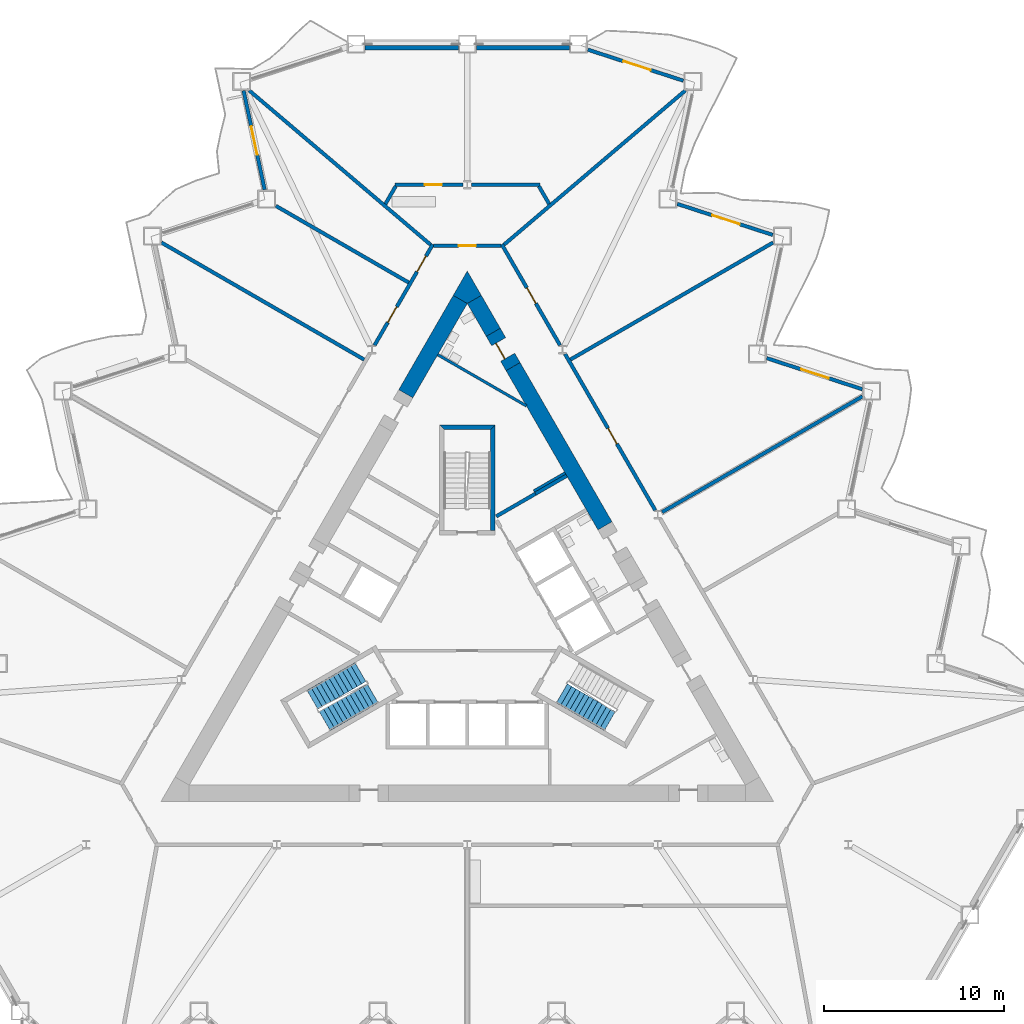
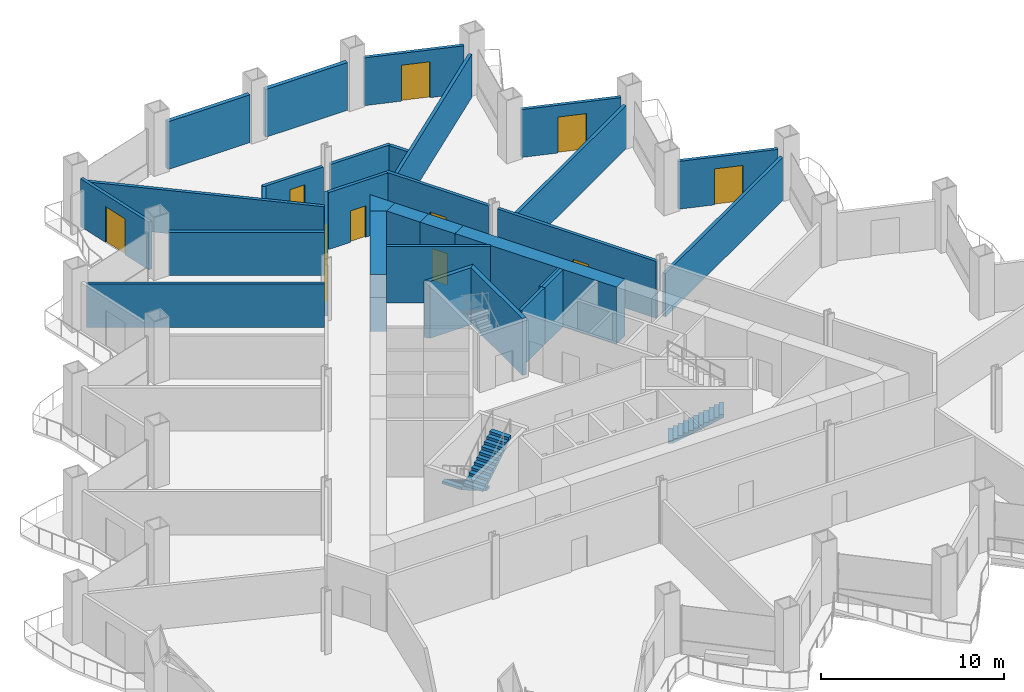
# One storey, part 12 of 21: 31 walls, 11 doors, 3 stair flights, 11 openings, 2 elements without a shape of their own.
"""IFC4 building model written with IfcOpenShell, lengths in metres."""

from ifc_helpers import new_model, si_unit, direction, frame, frame_2d, origin, place, context, subcontext, project, spatial, polyline, rectangle, outline, extrude, material, layer, layer_set, type_object, element, fill, aggregate, save


model = new_model("IFC4")

# Units and contexts
model_context = context("Model", 3, precision=1e-05, world=origin(), true_north=direction((0.0, 1.0)))
body_context = subcontext(model_context, "Body", "Model", "MODEL_VIEW")
ifc_project = project(units=[si_unit("LENGTHUNIT", "METRE"), si_unit("AREAUNIT", "SQUARE_METRE"), si_unit("VOLUMEUNIT", "CUBIC_METRE"), si_unit("PLANEANGLEUNIT", "RADIAN"), si_unit("MASSUNIT", "GRAM", prefix="KILO")], contexts=[model_context])

# Site, building, storey
site_placement = place(None, origin())
site = spatial("IfcSite", under=ifc_project, at=site_placement, CompositionType="ELEMENT")
building_placement = place(site_placement, origin())
building = spatial("IfcBuilding", under=site, at=building_placement, Name="Cormorant Prow Tower", CompositionType="ELEMENT")
storey_placement = place(building_placement, frame((0.0, 0.0, 80.39990234375)))
storey = spatial("IfcBuildingStorey", under=building, at=storey_placement, Name="L17", CompositionType="ELEMENT", Elevation=80.39990234375)

# Walls
ifc_material_1 = material(Name="Gypsum board partition")
ifc_layer_1 = layer(ifc_material_1, 0.14990234375)
ifc_layer_set_1 = layer_set([ifc_layer_1], Name="Gypsum board partition")
wall_type_1 = type_object("IfcWallType", Name="Core partition 150", PredefinedType="PARTITIONING", material=ifc_layer_set_1)
wall_1_placement = place(storey_placement, frame((3.693359375, 7.4150390625, 0.0), z_axis=(0.0, 0.0, 1.0), x_axis=(0.866035824272, 0.499981950752, 0.0)))
element("IfcWall", 1, at=wall_1_placement, inside=storey, type_object=wall_type_1, Name="Service room partition", PredefinedType="PARTITIONING", context=body_context, shape_type="SweptSolid", body=[
    extrude(rectangle(XDim=2.0087890625, YDim=0.14990234375, at=frame_2d((1.00439453125, 0.0))), origin(), (0.0, 0.0, 1.0), 3.800048828125),
])
wall_2_placement = place(storey_placement, frame((-1.64111328125, 14.9873046875, 0.0), z_axis=(0.0, 0.0, 1.0), x_axis=(0.866033267067, -0.499986380149, 0.0)))
element("IfcWall", 2, at=wall_2_placement, inside=storey, type_object=wall_type_1, Name="Service room partition", PredefinedType="PARTITIONING", context=body_context, shape_type="SweptSolid", body=[
    extrude(rectangle(XDim=5.685302734375, YDim=0.14990234375, at=frame_2d((2.8427734375, 0.0))), origin(), (0.0, 0.0, 1.0), 3.800048828125),
])
ifc_material_2 = material(Name="Concrete 8000 psi", Category="concrete")
ifc_layer_2 = layer(ifc_material_2, 0.89990234375)
ifc_layer_set_2 = layer_set([ifc_layer_2], Name="Concrete 8000 psi")
wall_type_2 = type_object("IfcWallType", Name="Core shear wall 900", PredefinedType="SHEAR", material=ifc_layer_set_2)
wall_3_placement = place(storey_placement, frame((7.646484375, 5.485595703125, 0.0), z_axis=(0.0, 0.0, 1.0), x_axis=(-0.499982660725, 0.866035414388, 0.0)))
element("IfcWall", 3, at=wall_3_placement, inside=storey, type_object=wall_type_2, Name="Core wall", PredefinedType="SHEAR", context=body_context, shape_type="SweptSolid", body=[
    extrude(rectangle(XDim=10.206298828125, YDim=0.89990234375, at=frame_2d((5.10302734375, 0.0))), origin(), (0.0, 0.0, 1.0), 3.800048828125),
])
wall_4_placement = place(storey_placement, frame((1.443359375, 16.22998046875, 0.0), z_axis=(0.0, 0.0, 1.0), x_axis=(-0.500026652407, 0.866010015463, 0.0)))
element("IfcWall", 4, at=wall_4_placement, inside=storey, type_object=wall_type_2, Name="Core wall", PredefinedType="SHEAR", context=body_context, shape_type="SweptSolid", body=[
    extrude(rectangle(XDim=2.107421875, YDim=0.89990234375, at=frame_2d((1.0537109375, 0.0))), origin(), (0.0, 0.0, 1.0), 3.800048828125),
])
wall_5_placement = place(storey_placement, frame((-0.3896484375, 18.054931640625, 0.0), z_axis=(0.0, 0.0, 1.0), x_axis=(-0.500006596359, -0.866021595341, 0.0)))
element("IfcWall", 5, at=wall_5_placement, inside=storey, type_object=wall_type_2, Name="Core wall", PredefinedType="SHEAR", context=body_context, shape_type="SweptSolid", body=[
    extrude(rectangle(XDim=6.04931640625, YDim=0.89990234375, at=frame_2d((3.024658203125, 0.0))), origin(), (0.0, 0.0, 1.0), 3.800048828125),
])
wall_6_placement = place(storey_placement, origin())
element("IfcWall", 6, at=wall_6_placement, inside=storey, type_object=wall_type_2, Name="Core wall corner", PredefinedType="SHEAR", context=body_context, shape_type="SweptSolid", body=[
    extrude(outline(polyline([(-0.779296875, 18.27978515625), (0.0, 19.6298828125), (0.779296875, 18.27978515625), (0.0, 17.829833984375), (-0.779296875, 18.27978515625)])), origin(), (0.0, 0.0, 1.0), 3.800048828125),
])

# Wall, opening, door
wall_7_placement = place(storey_placement, frame((2.54345703125, 14.32470703125, 0.0), z_axis=(0.0, 0.0, 1.0), x_axis=(-0.50002983664, 0.866008176907, 0.0)))
wall_7 = element("IfcWall", 7, at=wall_7_placement, inside=storey, type_object=wall_type_2, Name="Core wall door panel", PredefinedType="SHEAR", context=body_context, shape_type="SweptSolid", body=[
    extrude(rectangle(XDim=2.199951171875, YDim=0.89990234375, at=frame_2d((1.10009765625, 0.0))), origin(), (0.0, 0.0, 1.0), 3.800048828125),
])
opening_1_placement = place(wall_7_placement, frame((0.60009765625, 0.0, 0.0)))
opening_1 = element("IfcOpeningElement", 8, at=opening_1_placement, cuts=wall_7, Name="Opening L17-C22", PredefinedType="OPENING", context=body_context, shape_type="SweptSolid", body=[
    extrude(rectangle(XDim=1.0, YDim=2.10009765625, at=frame_2d((0.5, 1.050048828125))), frame((0.0, 0.4599609375, 0.0), z_axis=(0.0, -1.0, 0.0), x_axis=(1.0, 0.0, 0.0)), (0.0, 0.0, 1.0), 0.919921875),
])
ifc_material_3 = material(Name="Painted steel", Category="steel")
door_type_1 = type_object("IfcDoorType", Name="Service door 1000x2100", OperationType="NOTDEFINED", PredefinedType="DOOR", material=ifc_material_3)
door_1_placement = place(opening_1_placement, origin())
door_1 = element("IfcDoor", 9, at=door_1_placement, inside=storey, type_object=door_type_1, Name="Core door, Toilets (men) L17", OperationType="SINGLE_SWING_LEFT", OverallHeight=2.10009765625, OverallWidth=1.0, PredefinedType="DOOR", context=body_context, shape_type="SweptSolid", body=[
    extrude(rectangle(XDim=1.0, YDim=2.10009765625, at=frame_2d((0.5, 1.050048828125))), frame((0.0, 0.205078125, 0.0), z_axis=(0.0, -1.0, 0.0), x_axis=(1.0, 0.0, 0.0)), (0.0, 0.0, 1.0), 0.050048828125),
])
fill(opening_1, door_1)

ifc_material_4 = material(Name="Gypsum board corridor wall")
ifc_layer_3 = layer(ifc_material_4, 0.199951171875)
ifc_layer_set_3 = layer_set([ifc_layer_3], Name="Gypsum board corridor wall")
wall_type_3 = type_object("IfcWallType", Name="Corridor wall 200", PredefinedType="PARTITIONING", material=ifc_layer_set_3)
wall_8_placement = place(storey_placement, frame((5.42919921875, 15.0263671875, 0.0), z_axis=(0.0, 0.0, 1.0), x_axis=(0.50001002959, -0.86601961312, 0.0)))
wall_8 = element("IfcWall", 10, at=wall_8_placement, inside=storey, type_object=wall_type_3, Name="Corridor wall", PredefinedType="PARTITIONING", context=body_context, shape_type="SweptSolid", body=[
    extrude(rectangle(XDim=10.018798828125, YDim=0.199951171875, at=frame_2d((5.00927734375, 0.0))), origin(), (0.0, 0.0, 1.0), 3.800048828125),
])
opening_2_placement = place(wall_8_placement, frame((4.760009765625, 0.0, 0.0)))
opening_2 = element("IfcOpeningElement", 11, at=opening_2_placement, cuts=wall_8, Name="Opening L17-F07", PredefinedType="OPENING", context=body_context, shape_type="SweptSolid", body=[
    extrude(rectangle(XDim=1.0, YDim=2.10009765625, at=frame_2d((0.5, 1.050048828125))), frame((0.0, 0.10986328125, 0.0), z_axis=(0.0, -1.0, 0.0), x_axis=(1.0, 0.0, 0.0)), (0.0, 0.0, 1.0), 0.219970703125),
])
ifc_material_5 = material(Name="Timber door leaf", Category="wood")
door_type_2 = type_object("IfcDoorType", Name="Office door 1000x2100", OperationType="NOTDEFINED", PredefinedType="DOOR", material=ifc_material_5)
door_2_placement = place(opening_2_placement, origin())
door_2 = element("IfcDoor", 12, at=door_2_placement, inside=storey, type_object=door_type_2, Name="Open-plan office door", OperationType="SINGLE_SWING_LEFT", OverallHeight=2.10009765625, OverallWidth=1.0, PredefinedType="DOOR", context=body_context, shape_type="SweptSolid", body=[
    extrude(rectangle(XDim=1.0, YDim=2.10009765625, at=frame_2d((0.5, 1.050048828125))), frame((0.0, 0.02490234375, 0.0), z_axis=(0.0, -1.0, 0.0), x_axis=(1.0, 0.0, 0.0)), (0.0, 0.0, 1.0), 0.050048828125),
])
fill(opening_2, door_2)

wall_9_placement = place(storey_placement, frame((1.9130859375, 21.116455078125, 0.0), z_axis=(0.0, 0.0, 1.0), x_axis=(0.500001069878, -0.866024786089, 0.0)))
wall_9 = element("IfcWall", 13, at=wall_9_placement, inside=storey, type_object=wall_type_3, Name="Corridor wall", PredefinedType="PARTITIONING", context=body_context, shape_type="SweptSolid", body=[
    extrude(rectangle(XDim=6.47265625, YDim=0.199951171875, at=frame_2d((3.236328125, 0.0))), origin(), (0.0, 0.0, 1.0), 3.800048828125),
])
opening_3_placement = place(wall_9_placement, frame((2.787109375, 0.0, 0.0)))
opening_3 = element("IfcOpeningElement", 14, at=opening_3_placement, cuts=wall_9, Name="Opening L17-F08", PredefinedType="OPENING", context=body_context, shape_type="SweptSolid", body=[
    extrude(rectangle(XDim=1.0, YDim=2.10009765625, at=frame_2d((0.5, 1.050048828125))), frame((0.0, 0.10986328125, 0.0), z_axis=(0.0, -1.0, 0.0), x_axis=(1.0, 0.0, 0.0)), (0.0, 0.0, 1.0), 0.219970703125),
])
door_3_placement = place(opening_3_placement, origin())
door_3 = element("IfcDoor", 15, at=door_3_placement, inside=storey, type_object=door_type_2, Name="Tenant suite door", OperationType="SINGLE_SWING_RIGHT", OverallHeight=2.10009765625, OverallWidth=1.0, PredefinedType="DOOR", context=body_context, shape_type="SweptSolid", body=[
    extrude(rectangle(XDim=1.0, YDim=2.10009765625, at=frame_2d((0.5, 1.050048828125))), frame((0.0, 0.02490234375, 0.0), z_axis=(0.0, -1.0, 0.0), x_axis=(1.0, 0.0, 0.0)), (0.0, 0.0, 1.0), 0.050048828125),
])
fill(opening_3, door_3)

# Wall, openings, doors
wall_10_placement = place(storey_placement, frame((-5.1494140625, 15.510986328125, 0.0), z_axis=(0.0, 0.0, 1.0), x_axis=(0.500001069878, 0.866024786089, 0.0)))
wall_10 = element("IfcWall", 16, at=wall_10_placement, inside=storey, type_object=wall_type_3, Name="Corridor wall", PredefinedType="PARTITIONING", context=body_context, shape_type="SweptSolid", body=[
    extrude(rectangle(XDim=6.47265625, YDim=0.199951171875, at=frame_2d((3.236328125, 0.0))), origin(), (0.0, 0.0, 1.0), 3.800048828125),
])
opening_4_placement = place(wall_10_placement, frame((4.71533203125, 0.0, 0.0)))
opening_4 = element("IfcOpeningElement", 17, at=opening_4_placement, cuts=wall_10, Name="Opening L17-F11", PredefinedType="OPENING", context=body_context, shape_type="SweptSolid", body=[
    extrude(rectangle(XDim=1.0, YDim=2.10009765625, at=frame_2d((0.5, 1.050048828125))), frame((0.0, 0.10986328125, 0.0), z_axis=(0.0, -1.0, 0.0), x_axis=(1.0, 0.0, 0.0)), (0.0, 0.0, 1.0), 0.219970703125),
])
opening_5_placement = place(wall_10_placement, frame((1.4677734375, 0.0, 0.0)))
opening_5 = element("IfcOpeningElement", 18, at=opening_5_placement, cuts=wall_10, Name="Opening L17-F12", PredefinedType="OPENING", context=body_context, shape_type="SweptSolid", body=[
    extrude(rectangle(XDim=1.0, YDim=2.10009765625, at=frame_2d((0.5, 1.050048828125))), frame((0.0, 0.10986328125, 0.0), z_axis=(0.0, -1.0, 0.0), x_axis=(1.0, 0.0, 0.0)), (0.0, 0.0, 1.0), 0.219970703125),
])
door_4_placement = place(opening_4_placement, origin())
door_4 = element("IfcDoor", 19, at=door_4_placement, inside=storey, type_object=door_type_2, Name="Private office door", OperationType="SINGLE_SWING_LEFT", OverallHeight=2.10009765625, OverallWidth=1.0, PredefinedType="DOOR", context=body_context, shape_type="SweptSolid", body=[
    extrude(rectangle(XDim=1.0, YDim=2.10009765625, at=frame_2d((0.5, 1.050048828125))), frame((0.0, 0.02490234375, 0.0), z_axis=(0.0, -1.0, 0.0), x_axis=(1.0, 0.0, 0.0)), (0.0, 0.0, 1.0), 0.050048828125),
])
fill(opening_4, door_4)
door_5_placement = place(opening_5_placement, origin())
door_5 = element("IfcDoor", 20, at=door_5_placement, inside=storey, type_object=door_type_2, Name="Private office door", OperationType="SINGLE_SWING_LEFT", OverallHeight=2.10009765625, OverallWidth=1.0, PredefinedType="DOOR", context=body_context, shape_type="SweptSolid", body=[
    extrude(rectangle(XDim=1.0, YDim=2.10009765625, at=frame_2d((0.5, 1.050048828125))), frame((0.0, 0.02490234375, 0.0), z_axis=(0.0, -1.0, 0.0), x_axis=(1.0, 0.0, 0.0)), (0.0, 0.0, 1.0), 0.050048828125),
])
fill(opening_5, door_5)

# Wall, opening, door
wall_11_placement = place(storey_placement, frame((-1.863037109375, 21.02978515625, 0.0), z_axis=(0.0, 0.0, 1.0), x_axis=(1.0, 0.0, 0.0)))
wall_11 = element("IfcWall", 21, at=wall_11_placement, inside=storey, type_object=wall_type_3, Name="Corridor wall", PredefinedType="PARTITIONING", context=body_context, shape_type="SweptSolid", body=[
    extrude(rectangle(XDim=3.72607421875, YDim=0.199951171875, at=frame_2d((1.863037109375, 0.0))), origin(), (0.0, 0.0, 1.0), 3.800048828125),
])
opening_6_placement = place(wall_11_placement, frame((1.387939453125, 0.0, 0.0)))
opening_6 = element("IfcOpeningElement", 22, at=opening_6_placement, cuts=wall_11, Name="Opening L17-F09", PredefinedType="OPENING", context=body_context, shape_type="SweptSolid", body=[
    extrude(rectangle(XDim=0.949951171875, YDim=2.10009765625, at=frame_2d((0.47509765625, 1.050048828125))), frame((0.0, 0.10986328125, 0.0), z_axis=(0.0, -1.0, 0.0), x_axis=(1.0, 0.0, 0.0)), (0.0, 0.0, 1.0), 0.219970703125),
])
ifc_material_6 = material(Name="Timber door leaf", Category="wood")
door_type_3 = type_object("IfcDoorType", Name="Store door 950x2100", OperationType="NOTDEFINED", PredefinedType="DOOR", material=ifc_material_6)
door_6_placement = place(opening_6_placement, origin())
door_6 = element("IfcDoor", 23, at=door_6_placement, inside=storey, type_object=door_type_3, Name="Tea point and pantry door", OperationType="SINGLE_SWING_RIGHT", OverallHeight=2.10009765625, OverallWidth=0.949951171875, PredefinedType="DOOR", context=body_context, shape_type="SweptSolid", body=[
    extrude(rectangle(XDim=0.949951171875, YDim=2.10009765625, at=frame_2d((0.47509765625, 1.050048828125))), frame((0.0, 0.02490234375, 0.0), z_axis=(0.0, -1.0, 0.0), x_axis=(1.0, 0.0, 0.0)), (0.0, 0.0, 1.0), 0.050048828125),
])
fill(opening_6, door_6)

# Walls
ifc_material_7 = material(Name="Gypsum board demising wall")
ifc_layer_4 = layer(ifc_material_7, 0.199951171875)
ifc_layer_set_4 = layer_set([ifc_layer_4], Name="Gypsum board demising wall")
wall_type_4 = type_object("IfcWallType", Name="Demising wall 200", PredefinedType="PARTITIONING", material=ifc_layer_set_4)
for number, where, z_axis, x_axis, name in (
    (24, (2.039306640625, 21.0947265625, 0.0), (0.0, 0.0, 1.0), (0.761767039776, 0.647851045465, 0.0), "Demising wall"),
    (25, (-12.109130859375, 29.65869140625, 0.0), (0.0, 0.0, 1.0), (0.761767039776, -0.647851045465, 0.0), "Demising wall"),
):
    element("IfcWall", number, at=place(storey_placement, frame(where, z_axis=z_axis, x_axis=x_axis)), inside=storey, type_object=wall_type_4, Name=name, PredefinedType="PARTITIONING", context=body_context, shape_type="SweptSolid", body=[
        extrude(rectangle(XDim=13.218994140625, YDim=0.199951171875, at=frame_2d((6.609375, 0.0))), origin(), (0.0, 0.0, 1.0), 2.885498046875),
    ])
for number, where, z_axis, x_axis, name in (
    (26, (5.724609375, 14.714599609375, 0.0), (0.0, 0.0, 1.0), (0.866032633092, 0.499987478263, 0.0), "Demising wall"),
    (27, (-16.981201171875, 21.21337890625, 0.0), (0.0, 0.0, 1.0), (0.866032633092, -0.499987478263, 0.0), "Demising wall"),
):
    element("IfcWall", number, at=place(storey_placement, frame(where, z_axis=z_axis, x_axis=x_axis)), inside=storey, type_object=wall_type_4, Name=name, PredefinedType="PARTITIONING", context=body_context, shape_type="SweptSolid", body=[
        extrude(rectangle(XDim=12.997802734375, YDim=0.199951171875, at=frame_2d((6.4990234375, 0.0))), origin(), (0.0, 0.0, 1.0), 2.885498046875),
    ])
wall_12_placement = place(storey_placement, frame((10.82080078125, 6.247314453125, 0.0), z_axis=(0.0, 0.0, 1.0), x_axis=(0.866026729935, 0.499997703033, 0.0)))
element("IfcWall", 28, at=wall_12_placement, inside=storey, type_object=wall_type_4, Name="Demising wall", PredefinedType="PARTITIONING", context=body_context, shape_type="SweptSolid", body=[
    extrude(rectangle(XDim=12.84765625, YDim=0.199951171875, at=frame_2d((6.423828125, 0.0))), origin(), (0.0, 0.0, 1.0), 2.885498046875),
])
wall_13_placement = place(storey_placement, frame((-10.625732421875, 23.248779296875, 0.0), z_axis=(0.0, 0.0, 1.0), x_axis=(0.866037037334, -0.49997984956, 0.0)))
element("IfcWall", 29, at=wall_13_placement, inside=storey, type_object=wall_type_4, Name="Demising wall", PredefinedType="PARTITIONING", context=body_context, shape_type="SweptSolid", body=[
    extrude(rectangle(XDim=8.511474609375, YDim=0.199951171875, at=frame_2d((4.255859375, 0.0))), origin(), (0.0, 0.0, 1.0), 2.885498046875),
])

# Wall, opening, door
wall_14_placement = place(storey_placement, frame((-4.02587890625, 24.429931640625, 0.0), z_axis=(0.0, 0.0, 1.0), x_axis=(1.0, 0.0, 0.0)))
wall_14 = element("IfcWall", 30, at=wall_14_placement, inside=storey, type_object=wall_type_4, Name="Demising wall", PredefinedType="PARTITIONING", context=body_context, shape_type="SweptSolid", body=[
    extrude(rectangle(XDim=3.78369140625, YDim=0.199951171875, at=frame_2d((1.891845703125, 0.0))), origin(), (0.0, 0.0, 1.0), 2.885498046875),
])
opening_7_placement = place(wall_14_placement, frame((1.67041015625, 0.0, 0.0)))
opening_7 = element("IfcOpeningElement", 31, at=opening_7_placement, cuts=wall_14, Name="Opening L17-F10", PredefinedType="OPENING", context=body_context, shape_type="SweptSolid", body=[
    extrude(rectangle(XDim=0.949951171875, YDim=2.10009765625, at=frame_2d((0.47509765625, 1.050048828125))), frame((0.0, 0.10986328125, 0.0), z_axis=(0.0, -1.0, 0.0), x_axis=(1.0, 0.0, 0.0)), (0.0, 0.0, 1.0), 0.219970703125),
])
door_7_placement = place(opening_7_placement, origin())
door_7 = element("IfcDoor", 32, at=door_7_placement, inside=storey, type_object=door_type_3, Name="Print and copy room door", OperationType="SINGLE_SWING_LEFT", OverallHeight=2.10009765625, OverallWidth=0.949951171875, PredefinedType="DOOR", context=body_context, shape_type="SweptSolid", body=[
    extrude(rectangle(XDim=0.949951171875, YDim=2.10009765625, at=frame_2d((0.47509765625, 1.050048828125))), frame((0.0, 0.02490234375, 0.0), z_axis=(0.0, -1.0, 0.0), x_axis=(1.0, 0.0, 0.0)), (0.0, 0.0, 1.0), 0.050048828125),
])
fill(opening_7, door_7)

# Walls
wall_15_placement = place(storey_placement, frame((0.2421875, 24.429931640625, 0.0), z_axis=(0.0, 0.0, 1.0), x_axis=(1.0, 0.0, 0.0)))
element("IfcWall", 33, at=wall_15_placement, inside=storey, type_object=wall_type_4, Name="Demising wall", PredefinedType="PARTITIONING", context=body_context, shape_type="SweptSolid", body=[
    extrude(rectangle(XDim=3.78369140625, YDim=0.199951171875, at=frame_2d((1.891845703125, 0.0))), origin(), (0.0, 0.0, 1.0), 2.885498046875),
])
for number, where, z_axis, x_axis, name in (
    (34, (3.97607421875, 24.34326171875, 0.0), (0.0, 0.0, 1.0), (0.499938683108, -0.866060802215, 0.0), "Demising wall"),
    (35, (-4.546142578125, 23.355712890625, 0.0), (0.0, 0.0, 1.0), (0.499938683108, 0.866060802215, 0.0), "Demising wall"),
):
    element("IfcWall", number, at=place(storey_placement, frame(where, z_axis=z_axis, x_axis=x_axis)), inside=storey, type_object=wall_type_4, Name=name, PredefinedType="PARTITIONING", context=body_context, shape_type="SweptSolid", body=[
        extrude(rectangle(XDim=1.140380859375, YDim=0.199951171875, at=frame_2d((0.5703125, 0.0))), origin(), (0.0, 0.0, 1.0), 2.885498046875),
    ])
ifc_material_8 = material(Name="Concrete 8000 psi", Category="concrete")
ifc_layer_5 = layer(ifc_material_8, 0.199951171875)
ifc_layer_set_5 = layer_set([ifc_layer_5], Name="Concrete 8000 psi")
wall_type_5 = type_object("IfcWallType", Name="Lift shaft wall 200", PredefinedType="SHEAR", material=ifc_layer_set_5)
wall_16_placement = place(storey_placement, origin())
element("IfcWall", 36, at=wall_16_placement, inside=storey, type_object=wall_type_5, Name="Lift shaft walls, ENE block", PredefinedType="SHEAR", context=body_context, shape_type="SweptSolid", body=[
    extrude(outline(polyline([(1.560546875, 6.09716796875), (3.730712890625, 7.35009765625), (3.830810546875, 7.177001953125), (1.660400390625, 5.923828125), (1.560546875, 6.09716796875)])), origin(), (0.0, 0.0, 1.0), 3.800048828125),
])
wall_17_placement = place(storey_placement, frame((3.78076171875, 7.263427734375, 0.0), z_axis=(0.0, 0.0, 1.0), x_axis=(0.865983199114, 0.50007309351, 0.0)))
element("IfcWall", 37, at=wall_17_placement, inside=storey, type_object=wall_type_5, Name="Store side wall", PredefinedType="SHEAR", context=body_context, shape_type="SweptSolid", body=[
    extrude(rectangle(XDim=2.009033203125, YDim=0.199951171875, at=frame_2d((1.00439453125, 0.0))), origin(), (0.0, 0.0, 1.0), 3.800048828125),
])
ifc_material_9 = material(Name="Concrete 8000 psi", Category="concrete")
ifc_layer_6 = layer(ifc_material_9, 0.25)
ifc_layer_set_6 = layer_set([ifc_layer_6], Name="Concrete 8000 psi")
wall_type_6 = type_object("IfcWallType", Name="Stair wall 250", PredefinedType="SHEAR", material=ifc_layer_set_6)
wall_18_placement = place(storey_placement, origin())
element("IfcWall", 38, at=wall_18_placement, inside=storey, type_object=wall_type_6, Name="Stair ST3 enclosure wall (flank)", PredefinedType="SHEAR", context=body_context, shape_type="SweptSolid", body=[
    extrude(outline(polyline([(1.5439453125, 5.23681640625), (1.5439453125, 11.0869140625), (1.2939453125, 10.8369140625), (1.2939453125, 5.23681640625), (1.5439453125, 5.23681640625)])), origin(), (0.0, 0.0, 1.0), 3.800048828125),
])
wall_19_placement = place(storey_placement, origin())
element("IfcWall", 39, at=wall_19_placement, inside=storey, type_object=wall_type_6, Name="Stair ST3 enclosure wall (end)", PredefinedType="SHEAR", context=body_context, shape_type="SweptSolid", body=[
    extrude(outline(polyline([(1.5439453125, 11.0869140625), (-1.5439453125, 11.0869140625), (-1.2939453125, 10.8369140625), (1.2939453125, 10.8369140625), (1.5439453125, 11.0869140625)])), origin(), (0.0, 0.0, 1.0), 3.800048828125),
])
ifc_material_10 = material(Name="Terracotta", Category="masonry")
ifc_layer_7 = layer(ifc_material_10, 0.25)
ifc_layer_set_7 = layer_set([ifc_layer_7], Name="Terracotta")
wall_type_7 = type_object("IfcWallType", Name="Terracotta bay wall 250", PredefinedType="SOLIDWALL", material=ifc_layer_set_7)
for number, where, z_axis, x_axis, name in (
    (40, (5.669677734375, 32.03466796875, 0.0), (0.0, 0.0, 1.0), (-1.0, 0.0, 0.0), "Terracotta bay wall N00"),
    (41, (-0.5, 32.03466796875, 0.0), (0.0, 0.0, 1.0), (-1.0, 0.0, 0.0), "Terracotta bay wall N01"),
):
    element("IfcWall", number, at=place(storey_placement, frame(where, z_axis=z_axis, x_axis=x_axis)), inside=storey, type_object=wall_type_7, Name=name, PredefinedType="SOLIDWALL", context=body_context, shape_type="SweptSolid", body=[
        extrude(rectangle(XDim=5.169677734375, YDim=0.25, at=frame_2d((2.5849609375, 0.0))), origin(), (0.0, 0.0, 1.0), 3.18896484375),
    ])

# Wall, opening, door
ifc_material_11 = material(Name="Terracotta", Category="masonry")
ifc_layer_8 = layer(ifc_material_11, 0.199951171875)
ifc_layer_set_8 = layer_set([ifc_layer_8], Name="Terracotta")
wall_type_8 = type_object("IfcWallType", Name="Terracotta jamb wall 200", PredefinedType="SOLIDWALL", material=ifc_layer_set_8)
wall_20_placement = place(storey_placement, frame((21.9326171875, 13.07080078125, 0.0), z_axis=(0.0, 0.0, 1.0), x_axis=(-0.951054004345, 0.309024725255, 0.0)))
wall_20 = element("IfcWall", 42, at=wall_20_placement, inside=storey, type_object=wall_type_8, Name="Terracotta jamb wall ENE05", PredefinedType="SOLIDWALL", context=body_context, shape_type="SweptSolid", body=[
    extrude(rectangle(XDim=5.579345703125, YDim=0.199951171875, at=frame_2d((2.78955078125, 0.0))), origin(), (0.0, 0.0, 1.0), 3.18896484375),
])
opening_8_placement = place(wall_20_placement, frame((1.95849609375, 0.0, 0.0)))
opening_8 = element("IfcOpeningElement", 43, at=opening_8_placement, cuts=wall_20, Name="Opening ED17.08", PredefinedType="OPENING", context=body_context, shape_type="SweptSolid", body=[
    extrude(rectangle(XDim=1.60009765625, YDim=2.39990234375, at=frame_2d((0.800048828125, 1.199951171875))), frame((0.0, 0.10986328125, 0.0), z_axis=(0.0, -1.0, 0.0), x_axis=(1.0, 0.0, 0.0)), (0.0, 0.0, 1.0), 0.219970703125),
])
ifc_material_12 = material(Name="Aluminium 6063-T6", Category="aluminium")
door_type_4 = type_object("IfcDoorType", Name="Balcony door 1600x2400", OperationType="DOUBLE_DOOR_SINGLE_SWING", PredefinedType="DOOR", material=ifc_material_12)
door_8_placement = place(opening_8_placement, origin())
door_8 = element("IfcDoor", 44, at=door_8_placement, inside=storey, type_object=door_type_4, Name="Balcony door ENE05 ED17.08", OperationType="DOUBLE_DOOR_SINGLE_SWING", OverallHeight=2.39990234375, OverallWidth=1.60009765625, PredefinedType="DOOR", context=body_context, shape_type="SweptSolid", body=[
    extrude(rectangle(XDim=1.60009765625, YDim=2.39990234375, at=frame_2d((0.800048828125, 1.199951171875))), frame((0.0, 0.02490234375, 0.0), z_axis=(0.0, -1.0, 0.0), x_axis=(1.0, 0.0, 0.0)), (0.0, 0.0, 1.0), 0.050048828125),
])
fill(opening_8, door_8)

wall_21_placement = place(storey_placement, frame((16.966552734375, 21.63623046875, 0.0), z_axis=(0.0, 0.0, 1.0), x_axis=(-0.951054004345, 0.309024725255, 0.0)))
wall_21 = element("IfcWall", 45, at=wall_21_placement, inside=storey, type_object=wall_type_8, Name="Terracotta jamb wall ENE07", PredefinedType="SOLIDWALL", context=body_context, shape_type="SweptSolid", body=[
    extrude(rectangle(XDim=5.579345703125, YDim=0.199951171875, at=frame_2d((2.78955078125, 0.0))), origin(), (0.0, 0.0, 1.0), 3.18896484375),
])
opening_9_placement = place(wall_21_placement, frame((1.931396484375, 0.0, 0.0)))
opening_9 = element("IfcOpeningElement", 46, at=opening_9_placement, cuts=wall_21, Name="Opening ED17.09", PredefinedType="OPENING", context=body_context, shape_type="SweptSolid", body=[
    extrude(rectangle(XDim=1.60009765625, YDim=2.39990234375, at=frame_2d((0.800048828125, 1.199951171875))), frame((0.0, 0.10986328125, 0.0), z_axis=(0.0, -1.0, 0.0), x_axis=(1.0, 0.0, 0.0)), (0.0, 0.0, 1.0), 0.219970703125),
])
door_9_placement = place(opening_9_placement, origin())
door_9 = element("IfcDoor", 47, at=door_9_placement, inside=storey, type_object=door_type_4, Name="Balcony door ENE07 ED17.09", OperationType="DOUBLE_DOOR_SINGLE_SWING", OverallHeight=2.39990234375, OverallWidth=1.60009765625, PredefinedType="DOOR", context=body_context, shape_type="SweptSolid", body=[
    extrude(rectangle(XDim=1.60009765625, YDim=2.39990234375, at=frame_2d((0.800048828125, 1.199951171875))), frame((0.0, 0.02490234375, 0.0), z_axis=(0.0, -1.0, 0.0), x_axis=(1.0, 0.0, 0.0)), (0.0, 0.0, 1.0), 0.050048828125),
])
fill(opening_9, door_9)

wall_22_placement = place(storey_placement, frame((12.00048828125, 30.20166015625, 0.0), z_axis=(0.0, 0.0, 1.0), x_axis=(-0.951054004345, 0.309024725255, 0.0)))
wall_22 = element("IfcWall", 48, at=wall_22_placement, inside=storey, type_object=wall_type_8, Name="Terracotta jamb wall ENE09", PredefinedType="SOLIDWALL", context=body_context, shape_type="SweptSolid", body=[
    extrude(rectangle(XDim=5.579345703125, YDim=0.199951171875, at=frame_2d((2.78955078125, 0.0))), origin(), (0.0, 0.0, 1.0), 3.18896484375),
])
opening_10_placement = place(wall_22_placement, frame((1.904541015625, 0.0, 0.0)))
opening_10 = element("IfcOpeningElement", 49, at=opening_10_placement, cuts=wall_22, Name="Opening ED17.10", PredefinedType="OPENING", context=body_context, shape_type="SweptSolid", body=[
    extrude(rectangle(XDim=1.60009765625, YDim=2.39990234375, at=frame_2d((0.800048828125, 1.199951171875))), frame((0.0, 0.10986328125, 0.0), z_axis=(0.0, -1.0, 0.0), x_axis=(1.0, 0.0, 0.0)), (0.0, 0.0, 1.0), 0.219970703125),
])
door_10_placement = place(opening_10_placement, origin())
door_10 = element("IfcDoor", 50, at=door_10_placement, inside=storey, type_object=door_type_4, Name="Balcony door ENE09 ED17.10", OperationType="DOUBLE_DOOR_SINGLE_SWING", OverallHeight=2.39990234375, OverallWidth=1.60009765625, PredefinedType="DOOR", context=body_context, shape_type="SweptSolid", body=[
    extrude(rectangle(XDim=1.60009765625, YDim=2.39990234375, at=frame_2d((0.800048828125, 1.199951171875))), frame((0.0, 0.02490234375, 0.0), z_axis=(0.0, -1.0, 0.0), x_axis=(1.0, 0.0, 0.0)), (0.0, 0.0, 1.0), 0.050048828125),
])
fill(opening_10, door_10)

wall_23_placement = place(storey_placement, frame((-12.421875, 29.652099609375, 0.0), z_axis=(0.0, 0.0, 1.0), x_axis=(0.207901831982, -0.978149696242, 0.0)))
wall_23 = element("IfcWall", 51, at=wall_23_placement, inside=storey, type_object=wall_type_8, Name="Terracotta jamb wall WNW01", PredefinedType="SOLIDWALL", context=body_context, shape_type="SweptSolid", body=[
    extrude(rectangle(XDim=5.626220703125, YDim=0.199951171875, at=frame_2d((2.81298828125, 0.0))), origin(), (0.0, 0.0, 1.0), 3.18896484375),
])
opening_11_placement = place(wall_23_placement, frame((2.039306640625, 0.0, 0.0)))
opening_11 = element("IfcOpeningElement", 52, at=opening_11_placement, cuts=wall_23, Name="Opening ED17.11", PredefinedType="OPENING", context=body_context, shape_type="SweptSolid", body=[
    extrude(rectangle(XDim=1.60009765625, YDim=2.39990234375, at=frame_2d((0.800048828125, 1.199951171875))), frame((0.0, 0.10986328125, 0.0), z_axis=(0.0, -1.0, 0.0), x_axis=(1.0, 0.0, 0.0)), (0.0, 0.0, 1.0), 0.219970703125),
])
door_11_placement = place(opening_11_placement, origin())
door_11 = element("IfcDoor", 53, at=door_11_placement, inside=storey, type_object=door_type_4, Name="Balcony door WNW01 ED17.11", OperationType="DOUBLE_DOOR_SINGLE_SWING", OverallHeight=2.39990234375, OverallWidth=1.60009765625, PredefinedType="DOOR", context=body_context, shape_type="SweptSolid", body=[
    extrude(rectangle(XDim=1.60009765625, YDim=2.39990234375, at=frame_2d((0.800048828125, 1.199951171875))), frame((0.0, 0.02490234375, 0.0), z_axis=(0.0, -1.0, 0.0), x_axis=(1.0, 0.0, 0.0)), (0.0, 0.0, 1.0), 0.050048828125),
])
fill(opening_11, door_11)

# Stair, stair flights
ifc_material_13 = material(Name="Exit stair 24 risers")
stair_type = type_object("IfcStairType", Name="Exit stair 24 risers", PredefinedType="HALF_TURN_STAIR", material=ifc_material_13)
stair_1_placement = place(storey_placement, origin())
stair_1 = element("IfcStair", 54, at=stair_1_placement, inside=storey, type_object=stair_type, Name="L17 Exit stair ST1", PredefinedType="HALF_TURN_STAIR")
ifc_material_14 = material(Name="Concrete 5000 psi", Category="concrete")
stair_flight_type = type_object("IfcStairFlightType", Name="Stair flight 1219", PredefinedType="STRAIGHT", material=ifc_material_14)
stair_flight_1_placement = place(storey_placement, frame((-5.93310546875, -2.635009765625, 0.0), z_axis=(0.0, 0.0, 1.0), x_axis=(-0.866025403784, -0.5, 0.0)))
stair_flight_1 = element("IfcStairFlight", 55, at=stair_flight_1_placement, type_object=stair_flight_type, Name="ST1 flight 1", NumberOfRisers=12, NumberOfTreads=11, PredefinedType="STRAIGHT", RiserHeight=0.175, TreadLength=0.28, context=body_context, shape_type="SweptSolid", body=[
    extrude(outline(polyline([(0.0, 0.0), (0.0, 0.175048828125), (0.280029296875, 0.175048828125), (0.280029296875, 0.35009765625), (0.56005859375, 0.35009765625), (0.56005859375, 0.52490234375), (0.840087890625, 0.52490234375), (0.840087890625, 0.699951171875), (1.1201171875, 0.699951171875), (1.1201171875, 0.875), (1.39990234375, 0.875), (1.39990234375, 1.050048828125), (1.679931640625, 1.050048828125), (1.679931640625, 1.22509765625), (1.9599609375, 1.22509765625), (1.9599609375, 1.39990234375), (2.239990234375, 1.39990234375), (2.239990234375, 1.574951171875), (2.52001953125, 1.574951171875), (2.52001953125, 1.75), (2.800048828125, 1.75), (2.800048828125, 1.925048828125), (3.080078125, 1.925048828125), (3.080078125, 2.10009765625), (3.080078125, 1.748291015625), (0.28271484375, 0.0), (0.0, 0.0)])), frame((0.0, 0.609375, 0.0), z_axis=(0.0, -1.0, 0.0), x_axis=(1.0, 0.0, 0.0)), (0.0, 0.0, 1.0), 1.218994140625),
])
stair_flight_2_placement = place(storey_placement, frame((-7.916015625, -5.360595703125, 2.10009765625), z_axis=(0.0, 0.0, 1.0), x_axis=(0.866025403784, 0.5, 0.0)))
stair_flight_2 = element("IfcStairFlight", 56, at=stair_flight_2_placement, type_object=stair_flight_type, Name="ST1 flight 2", NumberOfRisers=12, NumberOfTreads=11, PredefinedType="STRAIGHT", RiserHeight=0.175, TreadLength=0.28, context=body_context, shape_type="SweptSolid", body=[
    extrude(outline(polyline([(0.0, 0.0), (0.0, 0.175048828125), (0.280029296875, 0.175048828125), (0.280029296875, 0.35009765625), (0.56005859375, 0.35009765625), (0.56005859375, 0.52490234375), (0.840087890625, 0.52490234375), (0.840087890625, 0.699951171875), (1.1201171875, 0.699951171875), (1.1201171875, 0.875), (1.39990234375, 0.875), (1.39990234375, 1.050048828125), (1.679931640625, 1.050048828125), (1.679931640625, 1.22509765625), (1.9599609375, 1.22509765625), (1.9599609375, 1.39990234375), (2.239990234375, 1.39990234375), (2.239990234375, 1.574951171875), (2.52001953125, 1.574951171875), (2.52001953125, 1.75), (2.800048828125, 1.75), (2.800048828125, 1.925048828125), (3.080078125, 1.925048828125), (3.080078125, 2.10009765625), (3.080078125, 1.748291015625), (0.28271484375, 0.0), (0.0, 0.0)])), frame((0.0, 0.609375, 0.0), z_axis=(0.0, -1.0, 0.0), x_axis=(1.0, 0.0, 0.0)), (0.0, 0.0, 1.0), 1.218994140625),
])
aggregate(stair_1, [stair_flight_1, stair_flight_2])

# Stair, stair flight
stair_2_placement = place(storey_placement, origin())
stair_2 = element("IfcStair", 57, at=stair_2_placement, inside=storey, type_object=stair_type, Name="L17 Exit stair ST2", PredefinedType="HALF_TURN_STAIR")
stair_flight_3_placement = place(storey_placement, frame((5.24853515625, -3.82080078125, 0.0), z_axis=(0.0, 0.0, 1.0), x_axis=(0.866025403784, -0.5, 0.0)))
stair_flight_3 = element("IfcStairFlight", 58, at=stair_flight_3_placement, type_object=stair_flight_type, Name="ST2 flight 1", NumberOfRisers=12, NumberOfTreads=11, PredefinedType="STRAIGHT", RiserHeight=0.175, TreadLength=0.28, context=body_context, shape_type="SweptSolid", body=[
    extrude(outline(polyline([(0.0, 0.0), (0.0, 0.175048828125), (0.280029296875, 0.175048828125), (0.280029296875, 0.35009765625), (0.56005859375, 0.35009765625), (0.56005859375, 0.52490234375), (0.840087890625, 0.52490234375), (0.840087890625, 0.699951171875), (1.1201171875, 0.699951171875), (1.1201171875, 0.875), (1.39990234375, 0.875), (1.39990234375, 1.050048828125), (1.679931640625, 1.050048828125), (1.679931640625, 1.22509765625), (1.9599609375, 1.22509765625), (1.9599609375, 1.39990234375), (2.239990234375, 1.39990234375), (2.239990234375, 1.574951171875), (2.52001953125, 1.574951171875), (2.52001953125, 1.75), (2.800048828125, 1.75), (2.800048828125, 1.925048828125), (3.080078125, 1.925048828125), (3.080078125, 2.10009765625), (3.080078125, 1.748291015625), (0.28271484375, 0.0), (0.0, 0.0)])), frame((0.0, 0.609375, 0.0), z_axis=(0.0, -1.0, 0.0), x_axis=(1.0, 0.0, 0.0)), (0.0, 0.0, 1.0), 1.218994140625),
])
aggregate(stair_2, [stair_flight_3])

save(model, "model.ifc")
